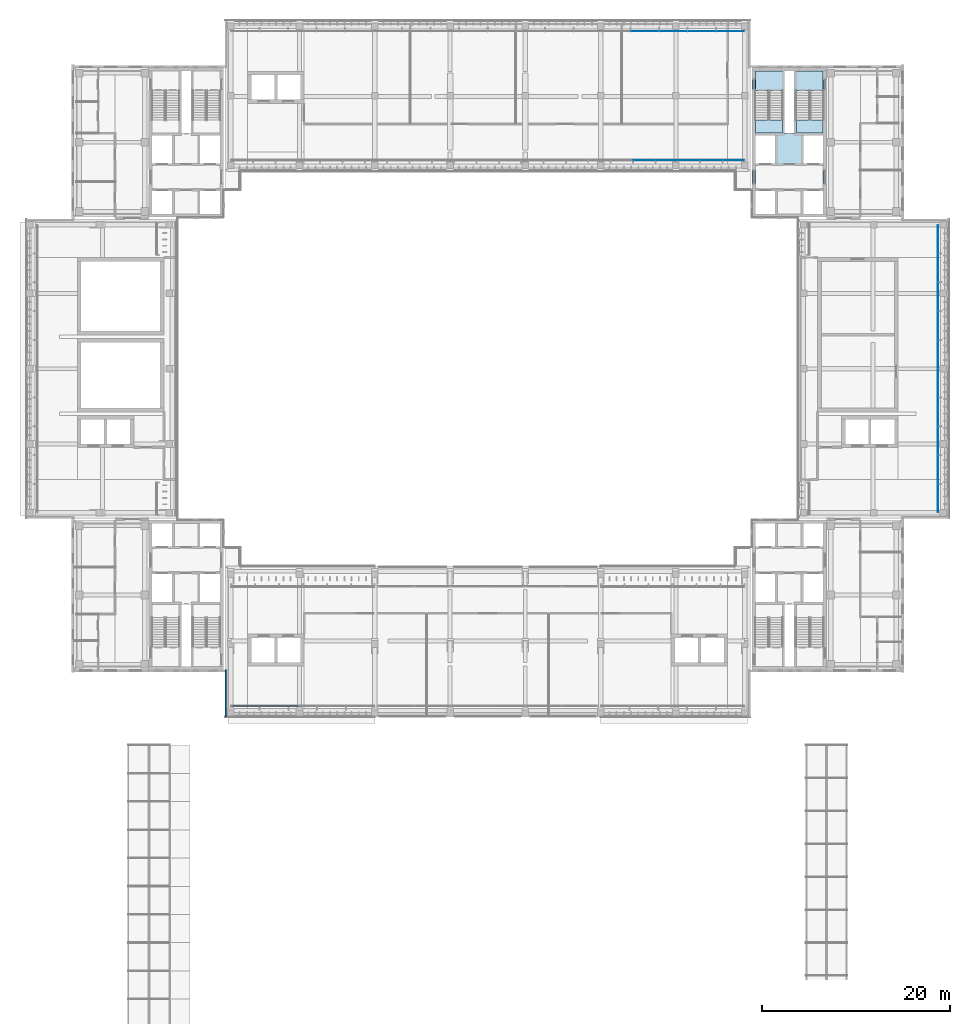
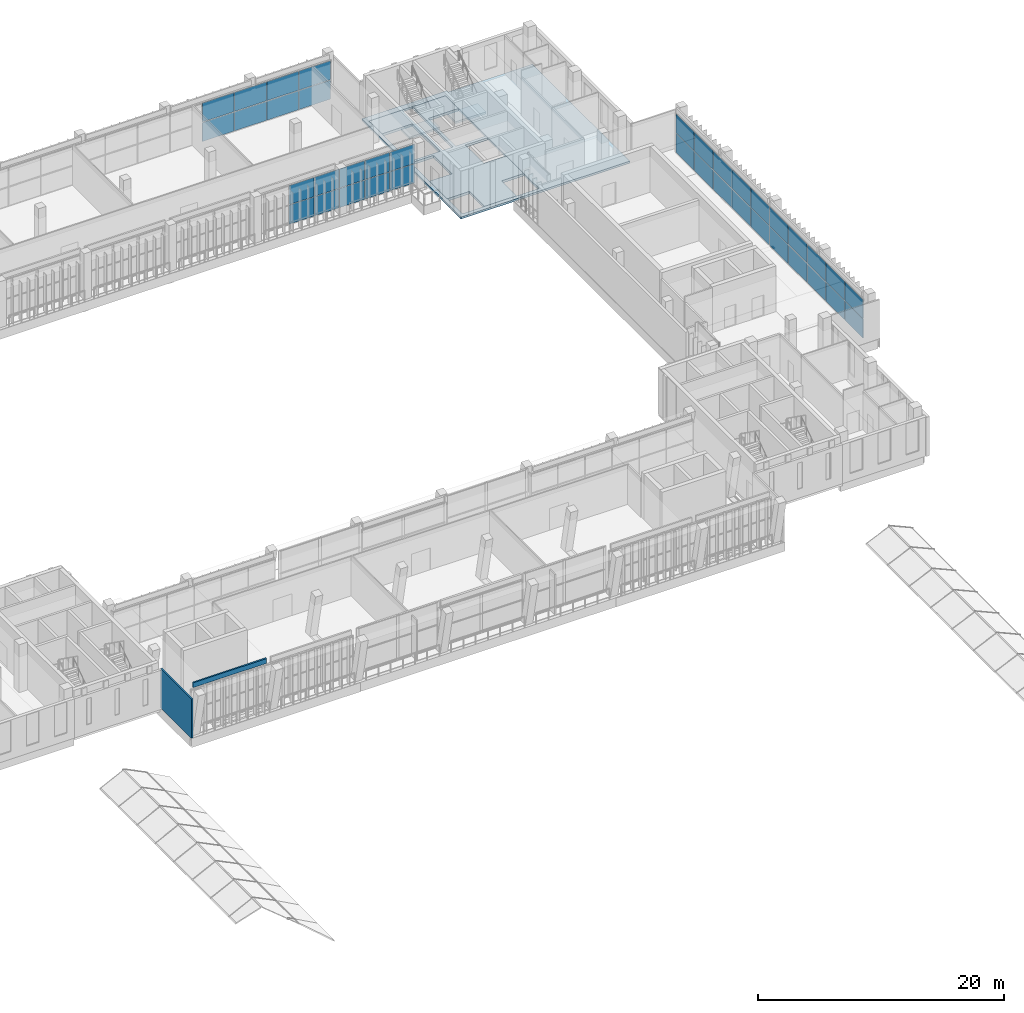
# One storey, part 41 of 73: 38 plates, 4 slabs, 2 walls, 5 elements without a shape of their own.
"""IFC4 building model written with IfcOpenShell, lengths in metres."""

from ifc_helpers import new_model, si_unit, direction, frame, frame_2d, origin, origin_2d, place, context, subcontext, project, spatial, polyline, rectangle, outline, extrude, material, layer, layer_set, type_object, element, aggregate, save


model = new_model("IFC4")

# Units and contexts
model_context = context("Model", 3, precision=1e-05, world=origin(), true_north=direction((0.0, 1.0)))
body_context = subcontext(model_context, "Body", "Model", "MODEL_VIEW")
ifc_project = project(units=[si_unit("LENGTHUNIT", "METRE"), si_unit("AREAUNIT", "SQUARE_METRE"), si_unit("VOLUMEUNIT", "CUBIC_METRE"), si_unit("PLANEANGLEUNIT", "RADIAN"), si_unit("MASSUNIT", "GRAM", prefix="KILO")], contexts=[model_context])

# Site, building, storey
site_placement = place(None, origin())
site = spatial("IfcSite", under=ifc_project, at=site_placement, CompositionType="ELEMENT")
building_placement = place(site_placement, origin())
building = spatial("IfcBuilding", under=site, at=building_placement, Name="Lantern Court Media Centre", CompositionType="ELEMENT")
storey_placement = place(building_placement, frame((0.0, 0.0, 24.0)))
storey = spatial("IfcBuildingStorey", under=building, at=storey_placement, Name="L05", CompositionType="ELEMENT", Elevation=24.0)

# Slab
ifc_material_1 = material(Name="Concrete C40", Category="concrete")
ifc_layer_1 = layer(ifc_material_1, 0.25)
ifc_layer_set_1 = layer_set([ifc_layer_1], Name="Concrete C40")
slab_type_1 = type_object("IfcSlabType", Name="Core floor slab 250", PredefinedType="FLOOR", material=ifc_layer_set_1)
slab_1_placement = place(storey_placement, frame((0.0, 0.0, -0.25)))
element("IfcSlab", 1, at=slab_1_placement, inside=storey, type_object=slab_type_1, Name="L05 NE core floor", PredefinedType="FLOOR", context=body_context, shape_type="SweptSolid", body=[
    extrude(outline(polyline([(87.64990234375, 101.800048828125), (87.64990234375, 98.89990234375), (85.550048828125, 98.89990234375), (85.550048828125, 96.449951171875), (82.550048828125, 96.449951171875), (82.550048828125, 98.89990234375), (80.449951171875, 98.89990234375), (80.449951171875, 101.800048828125), (82.550048828125, 101.800048828125), (82.550048828125, 104.800048828125), (80.449951171875, 104.800048828125), (80.449951171875, 105.05029296875), (83.299560546875, 105.05029296875), (83.299560546875, 109.549560546875), (80.449951171875, 109.549560546875), (80.449951171875, 111.64990234375), (83.550048828125, 111.64990234375), (83.550048828125, 105.050048828125), (84.550048828125, 105.050048828125), (84.550048828125, 111.64990234375), (87.64990234375, 111.64990234375), (87.64990234375, 109.549560546875), (84.80029296875, 109.549560546875), (84.80029296875, 105.05029296875), (87.64990234375, 105.05029296875), (87.64990234375, 104.800048828125), (85.550048828125, 104.800048828125), (85.550048828125, 101.800048828125), (87.64990234375, 101.800048828125)])), origin(), (0.0, 0.0, 1.0), 0.25),
])

# Curtain wall, plates
ifc_material_2 = material(Name="Curtain wall bay 2400")
curtain_wall_type_1 = type_object("IfcCurtainWallType", Name="Curtain wall bay 2400", PredefinedType="NOTDEFINED", material=ifc_material_2)
curtain_wall_1_placement = place(storey_placement, origin())
curtain_wall_1 = element("IfcCurtainWall", 2, at=curtain_wall_1_placement, inside=storey, type_object=curtain_wall_type_1, Name="Curtain wall N inner L05", PredefinedType="NOTDEFINED")
ifc_material_3 = material(Name="Low-iron double glazed unit glass", Category="glass")
ifc_layer_2 = layer(ifc_material_3, 0.02392578125)
ifc_layer_set_2 = layer_set([ifc_layer_2], Name="Low-iron double glazed unit glass")
plate_type_1 = type_object("IfcPlateType", Name="Curtain wall glazing unit 24", PredefinedType="CURTAIN_PANEL", material=ifc_layer_set_2)
plate_1_placement = place(storey_placement, frame((68.617431640625, 102.14990234375, 0.050048828125), z_axis=(0.0, 0.0, 1.0), x_axis=(1.0, 0.0, 0.0)))
plate_1 = element("IfcPlate", 3, at=plate_1_placement, type_object=plate_type_1, Name="CW2 panel 19.1", PredefinedType="CURTAIN_PANEL", context=body_context, shape_type="SweptSolid", body=[
    extrude(rectangle(XDim=2.323974609375, YDim=0.02392578125, at=origin_2d()), origin(), (0.0, 0.0, 1.0), 1.89990234375),
])
plate_2_placement = place(storey_placement, frame((68.617431640625, 102.14990234375, 2.0), z_axis=(0.0, 0.0, 1.0), x_axis=(1.0, 0.0, 0.0)))
plate_2 = element("IfcPlate", 4, at=plate_2_placement, type_object=plate_type_1, Name="CW2 panel 19.2", PredefinedType="CURTAIN_PANEL", context=body_context, shape_type="SweptSolid", body=[
    extrude(rectangle(XDim=2.323974609375, YDim=0.02392578125, at=origin_2d()), origin(), (0.0, 0.0, 1.0), 1.89990234375),
])
plate_3_placement = place(storey_placement, frame((70.9912109375, 102.14990234375, 0.050048828125), z_axis=(0.0, 0.0, 1.0), x_axis=(1.0, 0.0, 0.0)))
plate_3 = element("IfcPlate", 5, at=plate_3_placement, type_object=plate_type_1, Name="CW2 panel 20.1", PredefinedType="CURTAIN_PANEL", context=body_context, shape_type="SweptSolid", body=[
    extrude(rectangle(XDim=2.323974609375, YDim=0.02392578125, at=origin_2d()), origin(), (0.0, 0.0, 1.0), 1.89990234375),
])
plate_4_placement = place(storey_placement, frame((70.9912109375, 102.14990234375, 2.0), z_axis=(0.0, 0.0, 1.0), x_axis=(1.0, 0.0, 0.0)))
plate_4 = element("IfcPlate", 6, at=plate_4_placement, type_object=plate_type_1, Name="CW2 panel 20.2", PredefinedType="CURTAIN_PANEL", context=body_context, shape_type="SweptSolid", body=[
    extrude(rectangle(XDim=2.323974609375, YDim=0.02392578125, at=origin_2d()), origin(), (0.0, 0.0, 1.0), 1.89990234375),
])
plate_5_placement = place(storey_placement, frame((73.365234375, 102.14990234375, 0.050048828125), z_axis=(0.0, 0.0, 1.0), x_axis=(1.0, 0.0, 0.0)))
plate_5 = element("IfcPlate", 7, at=plate_5_placement, type_object=plate_type_1, Name="CW2 panel 21.1", PredefinedType="CURTAIN_PANEL", context=body_context, shape_type="SweptSolid", body=[
    extrude(rectangle(XDim=2.323974609375, YDim=0.02392578125, at=origin_2d()), origin(), (0.0, 0.0, 1.0), 1.89990234375),
])
plate_6_placement = place(storey_placement, frame((73.365234375, 102.14990234375, 2.0), z_axis=(0.0, 0.0, 1.0), x_axis=(1.0, 0.0, 0.0)))
plate_6 = element("IfcPlate", 8, at=plate_6_placement, type_object=plate_type_1, Name="CW2 panel 21.2", PredefinedType="CURTAIN_PANEL", context=body_context, shape_type="SweptSolid", body=[
    extrude(rectangle(XDim=2.323974609375, YDim=0.02392578125, at=origin_2d()), origin(), (0.0, 0.0, 1.0), 1.89990234375),
])
plate_7_placement = place(storey_placement, frame((75.739013671875, 102.14990234375, 0.050048828125), z_axis=(0.0, 0.0, 1.0), x_axis=(1.0, 0.0, 0.0)))
plate_7 = element("IfcPlate", 9, at=plate_7_placement, type_object=plate_type_1, Name="CW2 panel 22.1", PredefinedType="CURTAIN_PANEL", context=body_context, shape_type="SweptSolid", body=[
    extrude(rectangle(XDim=2.323974609375, YDim=0.02392578125, at=origin_2d()), origin(), (0.0, 0.0, 1.0), 1.89990234375),
])
plate_8_placement = place(storey_placement, frame((75.739013671875, 102.14990234375, 2.0), z_axis=(0.0, 0.0, 1.0), x_axis=(1.0, 0.0, 0.0)))
plate_8 = element("IfcPlate", 10, at=plate_8_placement, type_object=plate_type_1, Name="CW2 panel 22.2", PredefinedType="CURTAIN_PANEL", context=body_context, shape_type="SweptSolid", body=[
    extrude(rectangle(XDim=2.323974609375, YDim=0.02392578125, at=origin_2d()), origin(), (0.0, 0.0, 1.0), 1.89990234375),
])
plate_9_placement = place(storey_placement, frame((78.1005859375, 102.14990234375, 0.050048828125), z_axis=(0.0, 0.0, 1.0), x_axis=(1.0, 0.0, 0.0)))
plate_9 = element("IfcPlate", 11, at=plate_9_placement, type_object=plate_type_1, Name="CW2 panel 23.1", PredefinedType="CURTAIN_PANEL", context=body_context, shape_type="SweptSolid", body=[
    extrude(rectangle(XDim=2.298828125, YDim=0.02392578125, at=origin_2d()), origin(), (0.0, 0.0, 1.0), 1.89990234375),
])
plate_10_placement = place(storey_placement, frame((78.1005859375, 102.14990234375, 2.0), z_axis=(0.0, 0.0, 1.0), x_axis=(1.0, 0.0, 0.0)))
plate_10 = element("IfcPlate", 12, at=plate_10_placement, type_object=plate_type_1, Name="CW2 panel 23.2", PredefinedType="CURTAIN_PANEL", context=body_context, shape_type="SweptSolid", body=[
    extrude(rectangle(XDim=2.298828125, YDim=0.02392578125, at=origin_2d()), origin(), (0.0, 0.0, 1.0), 1.89990234375),
])
aggregate(curtain_wall_1, [plate_1, plate_2, plate_3, plate_4, plate_5, plate_6, plate_7, plate_8, plate_9, plate_10])

ifc_material_4 = material(Name="Curtain wall bay 3000")
curtain_wall_type_2 = type_object("IfcCurtainWallType", Name="Curtain wall bay 3000", PredefinedType="NOTDEFINED", material=ifc_material_4)
curtain_wall_2_placement = place(storey_placement, origin())
curtain_wall_2 = element("IfcCurtainWall", 13, at=curtain_wall_2_placement, inside=storey, type_object=curtain_wall_type_2, Name="Curtain wall N outer L05", PredefinedType="NOTDEFINED")
ifc_layer_3 = layer(ifc_material_3, 0.028076171875)
ifc_layer_set_3 = layer_set([ifc_layer_3], Name="Low-iron double glazed unit glass")
plate_type_2 = type_object("IfcPlateType", Name="Curtain wall glazing unit 28", PredefinedType="CURTAIN_PANEL", material=ifc_layer_set_3)
plate_11_placement = place(storey_placement, frame((68.683349609375, 115.85009765625, 0.06005859375), z_axis=(0.0, 0.0, 1.0), x_axis=(1.0, 0.0, 0.0)))
plate_11 = element("IfcPlate", 14, at=plate_11_placement, type_object=plate_type_2, Name="CW1 panel 15.1", PredefinedType="CURTAIN_PANEL", context=body_context, shape_type="SweptSolid", body=[
    extrude(rectangle(XDim=2.973388671875, YDim=0.028076171875, at=origin_2d()), origin(), (0.0, 0.0, 1.0), 1.885009765625),
])
plate_12_placement = place(storey_placement, frame((68.683349609375, 115.85009765625, 2.0048828125), z_axis=(0.0, 0.0, 1.0), x_axis=(1.0, 0.0, 0.0)))
plate_12 = element("IfcPlate", 15, at=plate_12_placement, type_object=plate_type_2, Name="CW1 panel 15.2", PredefinedType="CURTAIN_PANEL", context=body_context, shape_type="SweptSolid", body=[
    extrude(rectangle(XDim=2.973388671875, YDim=0.028076171875, at=origin_2d()), origin(), (0.0, 0.0, 1.0), 1.885009765625),
])
plate_13_placement = place(storey_placement, frame((71.716552734375, 115.85009765625, 0.06005859375), z_axis=(0.0, 0.0, 1.0), x_axis=(1.0, 0.0, 0.0)))
plate_13 = element("IfcPlate", 16, at=plate_13_placement, type_object=plate_type_2, Name="CW1 panel 16.1", PredefinedType="CURTAIN_PANEL", context=body_context, shape_type="SweptSolid", body=[
    extrude(rectangle(XDim=2.973388671875, YDim=0.028076171875, at=origin_2d()), origin(), (0.0, 0.0, 1.0), 1.885009765625),
])
plate_14_placement = place(storey_placement, frame((71.716552734375, 115.85009765625, 2.0048828125), z_axis=(0.0, 0.0, 1.0), x_axis=(1.0, 0.0, 0.0)))
plate_14 = element("IfcPlate", 17, at=plate_14_placement, type_object=plate_type_2, Name="CW1 panel 16.2", PredefinedType="CURTAIN_PANEL", context=body_context, shape_type="SweptSolid", body=[
    extrude(rectangle(XDim=2.973388671875, YDim=0.028076171875, at=origin_2d()), origin(), (0.0, 0.0, 1.0), 1.885009765625),
])
plate_15_placement = place(storey_placement, frame((74.75, 115.85009765625, 0.06005859375), z_axis=(0.0, 0.0, 1.0), x_axis=(1.0, 0.0, 0.0)))
plate_15 = element("IfcPlate", 18, at=plate_15_placement, type_object=plate_type_2, Name="CW1 panel 17.1", PredefinedType="CURTAIN_PANEL", context=body_context, shape_type="SweptSolid", body=[
    extrude(rectangle(XDim=2.973388671875, YDim=0.028076171875, at=origin_2d()), origin(), (0.0, 0.0, 1.0), 1.885009765625),
])
plate_16_placement = place(storey_placement, frame((74.75, 115.85009765625, 2.0048828125), z_axis=(0.0, 0.0, 1.0), x_axis=(1.0, 0.0, 0.0)))
plate_16 = element("IfcPlate", 19, at=plate_16_placement, type_object=plate_type_2, Name="CW1 panel 17.2", PredefinedType="CURTAIN_PANEL", context=body_context, shape_type="SweptSolid", body=[
    extrude(rectangle(XDim=2.973388671875, YDim=0.028076171875, at=origin_2d()), origin(), (0.0, 0.0, 1.0), 1.885009765625),
])
plate_17_placement = place(storey_placement, frame((77.768310546875, 115.85009765625, 0.06005859375), z_axis=(0.0, 0.0, 1.0), x_axis=(1.0, 0.0, 0.0)))
plate_17 = element("IfcPlate", 20, at=plate_17_placement, type_object=plate_type_2, Name="CW1 panel 18.1", PredefinedType="CURTAIN_PANEL", context=body_context, shape_type="SweptSolid", body=[
    extrude(rectangle(XDim=2.943359375, YDim=0.028076171875, at=origin_2d()), origin(), (0.0, 0.0, 1.0), 1.885009765625),
])
plate_18_placement = place(storey_placement, frame((77.768310546875, 115.85009765625, 2.0048828125), z_axis=(0.0, 0.0, 1.0), x_axis=(1.0, 0.0, 0.0)))
plate_18 = element("IfcPlate", 21, at=plate_18_placement, type_object=plate_type_2, Name="CW1 panel 18.2", PredefinedType="CURTAIN_PANEL", context=body_context, shape_type="SweptSolid", body=[
    extrude(rectangle(XDim=2.943359375, YDim=0.028076171875, at=origin_2d()), origin(), (0.0, 0.0, 1.0), 1.885009765625),
])
aggregate(curtain_wall_2, [plate_11, plate_12, plate_13, plate_14, plate_15, plate_16, plate_17, plate_18])

curtain_wall_3_placement = place(storey_placement, origin())
curtain_wall_3 = element("IfcCurtainWall", 22, at=curtain_wall_3_placement, inside=storey, type_object=curtain_wall_type_2, Name="Curtain wall E outer L05", PredefinedType="NOTDEFINED")
plate_19_placement = place(storey_placement, frame((99.85009765625, 66.2451171875, 0.06005859375), z_axis=(0.0, 0.0, 1.0), x_axis=(0.0, 1.0, 0.0)))
plate_19 = element("IfcPlate", 23, at=plate_19_placement, type_object=plate_type_2, Name="CW1 panel 1.1", PredefinedType="CURTAIN_PANEL", context=body_context, shape_type="SweptSolid", body=[
    extrude(rectangle(XDim=2.969970703125, YDim=0.028076171875, at=origin_2d()), origin(), (0.0, 0.0, 1.0), 1.885009765625),
])
plate_20_placement = place(storey_placement, frame((99.85009765625, 66.2451171875, 2.0048828125), z_axis=(0.0, 0.0, 1.0), x_axis=(0.0, 1.0, 0.0)))
plate_20 = element("IfcPlate", 24, at=plate_20_placement, type_object=plate_type_2, Name="CW1 panel 1.2", PredefinedType="CURTAIN_PANEL", context=body_context, shape_type="SweptSolid", body=[
    extrude(rectangle(XDim=2.969970703125, YDim=0.028076171875, at=origin_2d()), origin(), (0.0, 0.0, 1.0), 1.885009765625),
])
plate_21_placement = place(storey_placement, frame((99.85009765625, 69.2900390625, 0.06005859375), z_axis=(0.0, 0.0, 1.0), x_axis=(0.0, 1.0, 0.0)))
plate_21 = element("IfcPlate", 25, at=plate_21_placement, type_object=plate_type_2, Name="CW1 panel 2.1", PredefinedType="CURTAIN_PANEL", context=body_context, shape_type="SweptSolid", body=[
    extrude(rectangle(XDim=3.0, YDim=0.028076171875, at=origin_2d()), origin(), (0.0, 0.0, 1.0), 1.885009765625),
])
plate_22_placement = place(storey_placement, frame((99.85009765625, 69.2900390625, 2.0048828125), z_axis=(0.0, 0.0, 1.0), x_axis=(0.0, 1.0, 0.0)))
plate_22 = element("IfcPlate", 26, at=plate_22_placement, type_object=plate_type_2, Name="CW1 panel 2.2", PredefinedType="CURTAIN_PANEL", context=body_context, shape_type="SweptSolid", body=[
    extrude(rectangle(XDim=3.0, YDim=0.028076171875, at=origin_2d()), origin(), (0.0, 0.0, 1.0), 1.885009765625),
])
plate_23_placement = place(storey_placement, frame((99.85009765625, 72.35009765625, 0.06005859375), z_axis=(0.0, 0.0, 1.0), x_axis=(0.0, 1.0, 0.0)))
plate_23 = element("IfcPlate", 27, at=plate_23_placement, type_object=plate_type_2, Name="CW1 panel 3.1", PredefinedType="CURTAIN_PANEL", context=body_context, shape_type="SweptSolid", body=[
    extrude(rectangle(XDim=3.0, YDim=0.028076171875, at=origin_2d()), origin(), (0.0, 0.0, 1.0), 1.885009765625),
])
plate_24_placement = place(storey_placement, frame((99.85009765625, 72.35009765625, 2.0048828125), z_axis=(0.0, 0.0, 1.0), x_axis=(0.0, 1.0, 0.0)))
plate_24 = element("IfcPlate", 28, at=plate_24_placement, type_object=plate_type_2, Name="CW1 panel 3.2", PredefinedType="CURTAIN_PANEL", context=body_context, shape_type="SweptSolid", body=[
    extrude(rectangle(XDim=3.0, YDim=0.028076171875, at=origin_2d()), origin(), (0.0, 0.0, 1.0), 1.885009765625),
])
plate_25_placement = place(storey_placement, frame((99.85009765625, 75.409912109375, 0.06005859375), z_axis=(0.0, 0.0, 1.0), x_axis=(0.0, 1.0, 0.0)))
plate_25 = element("IfcPlate", 29, at=plate_25_placement, type_object=plate_type_2, Name="CW1 panel 4.1", PredefinedType="CURTAIN_PANEL", context=body_context, shape_type="SweptSolid", body=[
    extrude(rectangle(XDim=3.0, YDim=0.028076171875, at=origin_2d()), origin(), (0.0, 0.0, 1.0), 1.885009765625),
])
plate_26_placement = place(storey_placement, frame((99.85009765625, 75.409912109375, 2.0048828125), z_axis=(0.0, 0.0, 1.0), x_axis=(0.0, 1.0, 0.0)))
plate_26 = element("IfcPlate", 30, at=plate_26_placement, type_object=plate_type_2, Name="CW1 panel 4.2", PredefinedType="CURTAIN_PANEL", context=body_context, shape_type="SweptSolid", body=[
    extrude(rectangle(XDim=3.0, YDim=0.028076171875, at=origin_2d()), origin(), (0.0, 0.0, 1.0), 1.885009765625),
])
plate_27_placement = place(storey_placement, frame((99.85009765625, 78.469970703125, 0.06005859375), z_axis=(0.0, 0.0, 1.0), x_axis=(0.0, 1.0, 0.0)))
plate_27 = element("IfcPlate", 31, at=plate_27_placement, type_object=plate_type_2, Name="CW1 panel 5.1", PredefinedType="CURTAIN_PANEL", context=body_context, shape_type="SweptSolid", body=[
    extrude(rectangle(XDim=3.0, YDim=0.028076171875, at=origin_2d()), origin(), (0.0, 0.0, 1.0), 1.885009765625),
])
plate_28_placement = place(storey_placement, frame((99.85009765625, 78.469970703125, 2.0048828125), z_axis=(0.0, 0.0, 1.0), x_axis=(0.0, 1.0, 0.0)))
plate_28 = element("IfcPlate", 32, at=plate_28_placement, type_object=plate_type_2, Name="CW1 panel 5.2", PredefinedType="CURTAIN_PANEL", context=body_context, shape_type="SweptSolid", body=[
    extrude(rectangle(XDim=3.0, YDim=0.028076171875, at=origin_2d()), origin(), (0.0, 0.0, 1.0), 1.885009765625),
])
plate_29_placement = place(storey_placement, frame((99.85009765625, 81.530029296875, 0.06005859375), z_axis=(0.0, 0.0, 1.0), x_axis=(0.0, 1.0, 0.0)))
plate_29 = element("IfcPlate", 33, at=plate_29_placement, type_object=plate_type_2, Name="CW1 panel 6.1", PredefinedType="CURTAIN_PANEL", context=body_context, shape_type="SweptSolid", body=[
    extrude(rectangle(XDim=3.0, YDim=0.028076171875, at=origin_2d()), origin(), (0.0, 0.0, 1.0), 1.885009765625),
])
plate_30_placement = place(storey_placement, frame((99.85009765625, 81.530029296875, 2.0048828125), z_axis=(0.0, 0.0, 1.0), x_axis=(0.0, 1.0, 0.0)))
plate_30 = element("IfcPlate", 34, at=plate_30_placement, type_object=plate_type_2, Name="CW1 panel 6.2", PredefinedType="CURTAIN_PANEL", context=body_context, shape_type="SweptSolid", body=[
    extrude(rectangle(XDim=3.0, YDim=0.028076171875, at=origin_2d()), origin(), (0.0, 0.0, 1.0), 1.885009765625),
])
plate_31_placement = place(storey_placement, frame((99.85009765625, 84.590087890625, 0.06005859375), z_axis=(0.0, 0.0, 1.0), x_axis=(0.0, 1.0, 0.0)))
plate_31 = element("IfcPlate", 35, at=plate_31_placement, type_object=plate_type_2, Name="CW1 panel 7.1", PredefinedType="CURTAIN_PANEL", context=body_context, shape_type="SweptSolid", body=[
    extrude(rectangle(XDim=3.0, YDim=0.028076171875, at=origin_2d()), origin(), (0.0, 0.0, 1.0), 1.885009765625),
])
plate_32_placement = place(storey_placement, frame((99.85009765625, 84.590087890625, 2.0048828125), z_axis=(0.0, 0.0, 1.0), x_axis=(0.0, 1.0, 0.0)))
plate_32 = element("IfcPlate", 36, at=plate_32_placement, type_object=plate_type_2, Name="CW1 panel 7.2", PredefinedType="CURTAIN_PANEL", context=body_context, shape_type="SweptSolid", body=[
    extrude(rectangle(XDim=3.0, YDim=0.028076171875, at=origin_2d()), origin(), (0.0, 0.0, 1.0), 1.885009765625),
])
plate_33_placement = place(storey_placement, frame((99.85009765625, 87.64990234375, 0.06005859375), z_axis=(0.0, 0.0, 1.0), x_axis=(0.0, 1.0, 0.0)))
plate_33 = element("IfcPlate", 37, at=plate_33_placement, type_object=plate_type_2, Name="CW1 panel 8.1", PredefinedType="CURTAIN_PANEL", context=body_context, shape_type="SweptSolid", body=[
    extrude(rectangle(XDim=3.0, YDim=0.028076171875, at=origin_2d()), origin(), (0.0, 0.0, 1.0), 1.885009765625),
])
plate_34_placement = place(storey_placement, frame((99.85009765625, 87.64990234375, 2.0048828125), z_axis=(0.0, 0.0, 1.0), x_axis=(0.0, 1.0, 0.0)))
plate_34 = element("IfcPlate", 38, at=plate_34_placement, type_object=plate_type_2, Name="CW1 panel 8.2", PredefinedType="CURTAIN_PANEL", context=body_context, shape_type="SweptSolid", body=[
    extrude(rectangle(XDim=3.0, YDim=0.028076171875, at=origin_2d()), origin(), (0.0, 0.0, 1.0), 1.885009765625),
])
plate_35_placement = place(storey_placement, frame((99.85009765625, 90.7099609375, 0.06005859375), z_axis=(0.0, 0.0, 1.0), x_axis=(0.0, 1.0, 0.0)))
plate_35 = element("IfcPlate", 39, at=plate_35_placement, type_object=plate_type_2, Name="CW1 panel 9.1", PredefinedType="CURTAIN_PANEL", context=body_context, shape_type="SweptSolid", body=[
    extrude(rectangle(XDim=3.0, YDim=0.028076171875, at=origin_2d()), origin(), (0.0, 0.0, 1.0), 1.885009765625),
])
plate_36_placement = place(storey_placement, frame((99.85009765625, 90.7099609375, 2.0048828125), z_axis=(0.0, 0.0, 1.0), x_axis=(0.0, 1.0, 0.0)))
plate_36 = element("IfcPlate", 40, at=plate_36_placement, type_object=plate_type_2, Name="CW1 panel 9.2", PredefinedType="CURTAIN_PANEL", context=body_context, shape_type="SweptSolid", body=[
    extrude(rectangle(XDim=3.0, YDim=0.028076171875, at=origin_2d()), origin(), (0.0, 0.0, 1.0), 1.885009765625),
])
plate_37_placement = place(storey_placement, frame((99.85009765625, 93.7548828125, 0.06005859375), z_axis=(0.0, 0.0, 1.0), x_axis=(0.0, 1.0, 0.0)))
plate_37 = element("IfcPlate", 41, at=plate_37_placement, type_object=plate_type_2, Name="CW1 panel 10.1", PredefinedType="CURTAIN_PANEL", context=body_context, shape_type="SweptSolid", body=[
    extrude(rectangle(XDim=2.969970703125, YDim=0.028076171875, at=origin_2d()), origin(), (0.0, 0.0, 1.0), 1.885009765625),
])
plate_38_placement = place(storey_placement, frame((99.85009765625, 93.7548828125, 2.0048828125), z_axis=(0.0, 0.0, 1.0), x_axis=(0.0, 1.0, 0.0)))
plate_38 = element("IfcPlate", 42, at=plate_38_placement, type_object=plate_type_2, Name="CW1 panel 10.2", PredefinedType="CURTAIN_PANEL", context=body_context, shape_type="SweptSolid", body=[
    extrude(rectangle(XDim=2.969970703125, YDim=0.028076171875, at=origin_2d()), origin(), (0.0, 0.0, 1.0), 1.885009765625),
])
aggregate(curtain_wall_3, [plate_19, plate_20, plate_21, plate_22, plate_23, plate_24, plate_25, plate_26, plate_27, plate_28, plate_29, plate_30, plate_31, plate_32, plate_33, plate_34, plate_35, plate_36, plate_37, plate_38])

# Slab
ifc_material_5 = material(Name="Concrete C35", Category="concrete")
ifc_layer_4 = layer(ifc_material_5, 0.199951171875)
ifc_layer_set_4 = layer_set([ifc_layer_4], Name="Concrete C35")
slab_type_2 = type_object("IfcSlabType", Name="RC FLOOR SLAB 200", PredefinedType="FLOOR", material=ifc_layer_set_4)
slab_2_placement = place(storey_placement, frame((0.0, 0.0, -0.199951171875)))
element("IfcSlab", 43, at=slab_2_placement, inside=storey, type_object=slab_type_2, Name="SL-NE-L05", PredefinedType="FLOOR", context=body_context, shape_type="SweptSolid", body=[
    extrude(outline(polyline([(80.10009765625, 112.0), (80.10009765625, 112.219970703125), (88.10009765625, 112.219970703125), (88.10009765625, 112.0), (96.0, 112.0), (96.0, 96.10009765625), (80.10009765625, 96.10009765625), (80.10009765625, 112.0)]), holes=[polyline([(80.449951171875, 111.64990234375), (80.449951171875, 96.449951171875), (87.64990234375, 96.449951171875), (87.64990234375, 111.64990234375), (80.449951171875, 111.64990234375)])]), origin(), (0.0, 0.0, 1.0), 0.199951171875),
])

# Stair, slab
stair_type = type_object("IfcStairType", Name="Exit stair 1350", PredefinedType="HALF_TURN_STAIR", material=ifc_material_1)
stair_1_placement = place(storey_placement, origin())
stair_1 = element("IfcStair", 44, at=stair_1_placement, inside=storey, type_object=stair_type, Name="L05 NE exit stair A", PredefinedType="HALF_TURN_STAIR")
ifc_layer_5 = layer(ifc_material_1, 0.199951171875)
ifc_layer_set_5 = layer_set([ifc_layer_5], Name="Concrete C40")
slab_type_3 = type_object("IfcSlabType", Name="Stair landing RC 200", PredefinedType="LANDING", material=ifc_layer_set_5)
slab_3_placement = place(storey_placement, frame((0.0, 0.0, 2.199951171875)))
slab_3 = element("IfcSlab", 45, at=slab_3_placement, type_object=slab_type_3, Name="ST-NEA landing 1", PredefinedType="LANDING", context=body_context, shape_type="SweptSolid", body=[
    extrude(outline(polyline([(84.800048828125, 106.429931640625), (84.800048828125, 105.050048828125), (87.64990234375, 105.050048828125), (87.64990234375, 106.429931640625), (84.800048828125, 106.429931640625)])), origin(), (0.0, 0.0, 1.0), 0.199951171875),
])
aggregate(stair_1, [slab_3])

stair_2_placement = place(storey_placement, origin())
stair_2 = element("IfcStair", 46, at=stair_2_placement, inside=storey, type_object=stair_type, Name="L05 NE exit stair B", PredefinedType="HALF_TURN_STAIR")
slab_4_placement = place(storey_placement, frame((0.0, 0.0, 2.199951171875)))
slab_4 = element("IfcSlab", 47, at=slab_4_placement, type_object=slab_type_3, Name="ST-NEB landing 1", PredefinedType="LANDING", context=body_context, shape_type="SweptSolid", body=[
    extrude(outline(polyline([(80.449951171875, 106.429931640625), (80.449951171875, 105.050048828125), (83.300048828125, 105.050048828125), (83.300048828125, 106.429931640625), (80.449951171875, 106.429931640625)])), origin(), (0.0, 0.0, 1.0), 0.199951171875),
])
aggregate(stair_2, [slab_4])

# Walls
ifc_material_6 = material(Name="Insulated rendered blockwork", Category="masonry")
ifc_layer_6 = layer(ifc_material_6, 0.14990234375)
ifc_layer_set_6 = layer_set([ifc_layer_6], Name="Insulated rendered blockwork")
wall_type_1 = type_object("IfcWallType", Name="Head infill wall 150", PredefinedType="SOLIDWALL", material=ifc_layer_set_6)
wall_1_placement = place(storey_placement, frame((24.89990234375, 44.14990234375, 4.10009765625), z_axis=(0.0, 0.0, 1.0), x_axis=(1.0, 0.0, 0.0)))
element("IfcWall", 48, at=wall_1_placement, inside=storey, type_object=wall_type_1, Name="Head infill wall S outer L05", PredefinedType="SOLIDWALL", context=body_context, shape_type="SweptSolid", body=[
    extrude(rectangle(XDim=6.900146484375, YDim=0.14990234375, at=frame_2d((3.4501953125, 0.0))), origin(), (0.0, 0.0, 1.0), 0.47998046875),
])
ifc_material_7 = material(Name="Honed limestone cladding on blockwork", Category="masonry")
ifc_layer_7 = layer(ifc_material_7, 0.139892578125)
ifc_layer_set_7 = layer_set([ifc_layer_7], Name="Honed limestone cladding on blockwork")
wall_type_2 = type_object("IfcWallType", Name="Limestone closure wall 140", PredefinedType="SOLIDWALL", material=ifc_layer_set_7)
wall_2_placement = place(storey_placement, frame((24.169921875, 43.0, 0.0), z_axis=(0.0, 0.0, 1.0), x_axis=(0.0, 1.0, 0.0)))
element("IfcWall", 49, at=wall_2_placement, inside=storey, type_object=wall_type_2, Name="Limestone closure wall S-SW L05", PredefinedType="SOLIDWALL", context=body_context, shape_type="SweptSolid", body=[
    extrude(rectangle(XDim=5.0, YDim=0.139892578125, at=frame_2d((2.5, 0.0))), origin(), (0.0, 0.0, 1.0), 3.89990234375),
])

save(model, "model.ifc")
